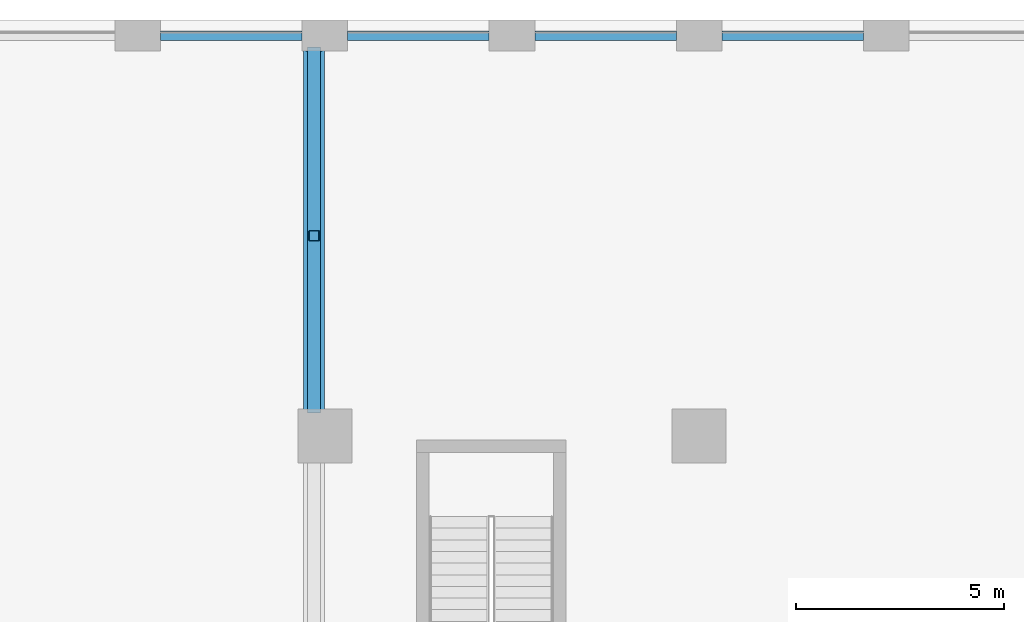
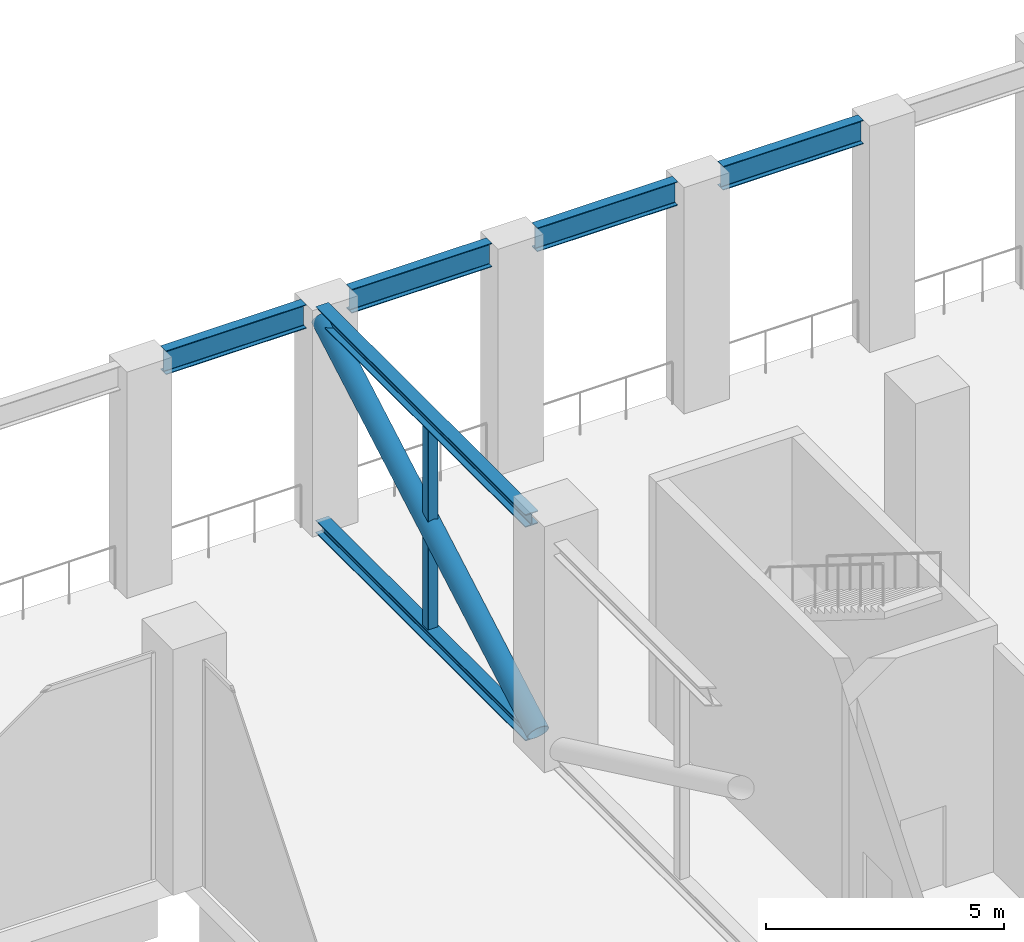
# One storey, part 8 of 14: 5 members, 4 beams.
"""IFC4 building model written with IfcOpenShell, lengths in metres."""

import ifcopenshell
import ifcopenshell.guid

model = None  # the IFC model being written
_history = None  # IfcOwnerHistory: only IFC2X3 demands one
_inside = {}  # id of a spatial element -> (the spatial element, [elements in it])
_under = {}  # id of a project, library or spatial element -> (it, [spatial elements below it])
_declared = {}  # id of a project -> (the project, [libraries it declares])
_typed = {}  # id of a type object -> (the type object, [elements of that type])
_made_of = {}  # id of a material, layer set ... -> (it, [elements and type objects made of it])


def new_model(schema):
    """Start an empty IFC model of exactly this schema.

    Asked for "IFC4X3", IfcOpenShell would pick the latest addendum, in which some entities
    have other attributes; the version numbers below select the first issue.
    IFC2X3 requires an IfcOwnerHistory on every rooted entity: one is made here for all.
    """
    global model, _history
    if schema == "IFC4X3":
        model = ifcopenshell.file(schema_version=(4, 3, 0, 0))
    else:
        model = ifcopenshell.file(schema=schema)
    _inside.clear()
    _under.clear()
    _declared.clear()
    _typed.clear()
    _made_of.clear()
    _history = None
    if model.schema == "IFC2X3":
        org = make("IfcOrganization", Name="unknown")
        user = make(
            "IfcPersonAndOrganization",
            ThePerson=make("IfcPerson", FamilyName="unknown"),
            TheOrganization=org,
        )
        app = make(
            "IfcApplication",
            ApplicationDeveloper=org,
            Version="unknown",
            ApplicationFullName="unknown",
            ApplicationIdentifier="unknown",
        )
        _history = make(
            "IfcOwnerHistory",
            OwningUser=user,
            OwningApplication=app,
            ChangeAction="ADDED",
            CreationDate=0,
        )
    return model


def make(cls, **values):
    """One entity of the class cls with the attributes given. An attribute that is None is left unset."""
    return model.create_entity(
        cls, **{name: value for name, value in values.items() if value is not None}
    )


def rooted(cls, **values):
    """An entity with a GlobalId (a new one), such as an element, a storey or a relation."""
    return make(cls, GlobalId=ifcopenshell.guid.new(), OwnerHistory=_history, **values)


def si_unit(unit_type, name, prefix=None):
    """IfcSIUnit, for example si_unit("LENGTHUNIT", "METRE", prefix="MILLI")."""
    return make("IfcSIUnit", UnitType=unit_type, Prefix=prefix, Name=name)


def assignment(units):
    """IfcUnitAssignment: the units of a project."""
    return None if units is None else make("IfcUnitAssignment", Units=units)


def point(xyz):
    """IfcCartesianPoint."""
    return None if xyz is None else make("IfcCartesianPoint", Coordinates=xyz)


def direction(xyz):
    """IfcDirection."""
    return None if xyz is None else make("IfcDirection", DirectionRatios=xyz)


def frame(location, z_axis=None, x_axis=None):
    """IfcAxis2Placement3D, a coordinate frame: its origin and axes. An axis left out is left unset."""
    return make(
        "IfcAxis2Placement3D",
        Location=point(location),
        Axis=direction(z_axis),
        RefDirection=direction(x_axis),
    )


def frame_2d(location, x_axis=None):
    """IfcAxis2Placement2D, a coordinate frame in the plane: its origin and x axis."""
    return make(
        "IfcAxis2Placement2D", Location=point(location), RefDirection=direction(x_axis)
    )


def origin():
    """The frame at (0, 0, 0) with its axes left unset."""
    return frame((0.0, 0.0, 0.0))


def origin_2d():
    """The frame at (0, 0) in the plane with its x axis left unset."""
    return frame_2d((0.0, 0.0))


def place(relative_to, where):
    """IfcLocalPlacement: puts the frame where relative to a parent placement (None: the world)."""
    return make(
        "IfcLocalPlacement", PlacementRelTo=relative_to, RelativePlacement=where
    )


def context(
    kind, dimensions, precision=None, world=None, true_north=None, identifier=None
):
    """IfcGeometricRepresentationContext, for example the 3D "Model" context."""
    return make(
        "IfcGeometricRepresentationContext",
        ContextIdentifier=identifier,
        ContextType=kind,
        CoordinateSpaceDimension=dimensions,
        Precision=precision,
        WorldCoordinateSystem=world,
        TrueNorth=true_north,
    )


def subcontext(parent, identifier, kind, view, scale=None):
    """IfcGeometricRepresentationSubContext, for example "Body" below "Model"."""
    return make(
        "IfcGeometricRepresentationSubContext",
        ContextIdentifier=identifier,
        ContextType=kind,
        ParentContext=parent,
        TargetScale=scale,
        TargetView=view,
    )


def project(units=None, contexts=None):
    """IfcProject with its units and contexts."""
    return rooted(
        "IfcProject",
        Name="project",
        RepresentationContexts=contexts,
        UnitsInContext=assignment(units),
    )


def spatial(cls, under=None, at=None, **own):
    """A site, building, storey or space (cls), placed at a placement, below another one or the project."""
    s = rooted(cls, ObjectPlacement=at, **own)
    if under is not None:
        _under.setdefault(under.id(), (under, []))[1].append(s)
    return s


def profile(cls, at=None, kind="AREA", **sizes):
    """A parametric profile (cls). Its sizes go by their IFC names, for example OverallWidth=200.0."""
    return make(cls, ProfileType=kind, Position=at, **sizes)


def hollow_rectangle(**sizes):
    """IfcRectangleHollowProfileDef."""
    return profile("IfcRectangleHollowProfileDef", **sizes)


def hollow_circle(**sizes):
    """IfcCircleHollowProfileDef."""
    return profile("IfcCircleHollowProfileDef", **sizes)


def i_section(**sizes):
    """IfcIShapeProfileDef."""
    return profile("IfcIShapeProfileDef", **sizes)


def extrude(swept, where, along, depth):
    """IfcExtrudedAreaSolid: the profile swept, set in the frame where, extruded along a direction by depth."""
    return make(
        "IfcExtrudedAreaSolid",
        SweptArea=swept,
        Position=where,
        ExtrudedDirection=direction(along),
        Depth=depth,
    )


def shape(context_of_items, identifier, shape_type, items):
    """IfcShapeRepresentation: the items that make up one representation, for example the "Body"."""
    return make(
        "IfcShapeRepresentation",
        ContextOfItems=context_of_items,
        RepresentationIdentifier=identifier,
        RepresentationType=shape_type,
        Items=items,
    )


def material(Name=None, Category=None):
    """IfcMaterial."""
    return make("IfcMaterial", Name=Name, Category=Category)


def material_profile(
    of_material, cross_section, Name=None, Category=None, Priority=None
):
    """IfcMaterialProfile: a cross section and its material."""
    return make(
        "IfcMaterialProfile",
        Name=Name,
        Material=of_material,
        Profile=cross_section,
        Priority=Priority,
        Category=Category,
    )


def profile_set(profiles, Name=None, composite=None):
    """IfcMaterialProfileSet."""
    return make(
        "IfcMaterialProfileSet",
        Name=Name,
        MaterialProfiles=profiles,
        CompositeProfile=composite,
    )


def made_of(thing, what):
    """Note that an element or type object is made of a material, layer set ...; save() writes the relation."""
    if what is not None:
        _made_of.setdefault(what.id(), (what, []))[1].append(thing)
    return thing


def type_object(cls, material=None, **own):
    """A type object (cls), such as IfcWallType, which elements share."""
    return made_of(rooted(cls, **own), material)


def element(
    cls,
    number,
    at=None,
    inside=None,
    cuts=None,
    type_object=None,
    material=None,
    context=None,
    identifier="Body",
    shape_type=None,
    held_by="IfcProductDefinitionShape",
    body=None,
    shapes=None,
    **own,
):
    """One element of the class cls, such as IfcWall. Its Tag is "e" and its number.

    at: its placement. inside: the storey or other place that contains it. cuts: it is an
    opening in that element (IfcRelVoidsElement). A single representation is given by context,
    identifier, shape_type and body (its items); several are given by shapes. held_by: the class
    of the entity that holds the representations. save() writes the other relations.
    """
    e = rooted(cls, Tag="e%d" % number, ObjectPlacement=at, **own)
    if body is not None:
        shapes = [shape(context, identifier, shape_type, body)]
    if shapes is not None:
        e.Representation = make(held_by, Representations=shapes)
    if inside is not None:
        _inside.setdefault(inside.id(), (inside, []))[1].append(e)
    if cuts is not None:
        rooted(
            "IfcRelVoidsElement", RelatingBuildingElement=cuts, RelatedOpeningElement=e
        )
    if type_object is not None:
        _typed.setdefault(type_object.id(), (type_object, []))[1].append(e)
    return made_of(e, material)


def aggregate(whole, parts):
    """IfcRelAggregates: a whole, such as a stair, and the parts it consists of."""
    return rooted("IfcRelAggregates", RelatingObject=whole, RelatedObjects=parts)


def save(model, path):
    """Write the relations noted so far, then the file.

    IfcRelAggregates (storeys below a building ...), IfcRelContainedInSpatialStructure (elements
    in a storey), IfcRelDefinesByType, IfcRelAssociatesMaterial and IfcRelDeclares: one each for
    every whole, place, type object, material and project.
    """
    for whole, parts in _under.values():
        aggregate(whole, parts)
    for where, things in _inside.values():
        rooted(
            "IfcRelContainedInSpatialStructure",
            RelatedElements=things,
            RelatingStructure=where,
        )
    for kind, things in _typed.values():
        rooted("IfcRelDefinesByType", RelatedObjects=things, RelatingType=kind)
    for what, things in _made_of.values():
        rooted("IfcRelAssociatesMaterial", RelatedObjects=things, RelatingMaterial=what)
    for by, libraries in _declared.values():
        rooted("IfcRelDeclares", RelatingContext=by, RelatedDefinitions=libraries)
    model.write(path)


model = new_model("IFC4")

# Units and contexts
model_context = context("Model", 3, precision=1e-05, world=origin(), true_north=direction((0.0, 1.0)))
body_context = subcontext(model_context, "Body", "Model", "MODEL_VIEW")
ifc_project = project(units=[si_unit("LENGTHUNIT", "METRE"), si_unit("AREAUNIT", "SQUARE_METRE"), si_unit("VOLUMEUNIT", "CUBIC_METRE"), si_unit("PLANEANGLEUNIT", "RADIAN"), si_unit("MASSUNIT", "GRAM", prefix="KILO")], contexts=[model_context])

# Site, building, storey
site_placement = place(None, origin())
site = spatial("IfcSite", under=ifc_project, at=site_placement, CompositionType="ELEMENT")
building_placement = place(site_placement, origin())
building = spatial("IfcBuilding", under=site, at=building_placement, Name="Brigalow Station Residences", CompositionType="ELEMENT")
storey_placement = place(building_placement, frame((0.0, 0.0, 130.800048828125)))
storey = spatial("IfcBuildingStorey", under=building, at=storey_placement, Name="L38", CompositionType="ELEMENT", Elevation=130.800048828125)

# Beams
ifc_material_1 = material(Name="Steel Grade 300 to AS/NZS 3679.1", Category="steel")
ifc_material_profile_1 = material_profile(ifc_material_1, i_section(OverallWidth=0.22900390625, OverallDepth=0.611572265625, WebThickness=0.011962890625, FlangeThickness=0.01953125, FilletRadius=0.013916015625, at=origin_2d()), Name="610UB125")
ifc_profile_set_1 = profile_set([ifc_material_profile_1], Name="Steel Grade 300 to AS/NZS 3679.1")
beam_type = type_object("IfcBeamType", Name="BELT GIRDER 610UB125", PredefinedType="USERDEFINED", material=ifc_profile_set_1)
for number, where, z_axis, x_axis, name in (
    (1, (66.949951171875, 45.125, 5.494140625), (-1.0, 0.0, 0.0), (0.0, -1.0, 0.0), "BELT GIRDER 21 L38"),
    (2, (62.449951171875, 45.125, 5.494140625), (-1.0, 0.0, 0.0), (0.0, -1.0, 0.0), "BELT GIRDER 22 L38"),
    (3, (57.949951171875, 45.125, 5.494140625), (-1.0, 0.0, 0.0), (0.0, -1.0, 0.0), "BELT GIRDER 23 L38"),
    (4, (53.449951171875, 45.125, 5.494140625), (-1.0, 0.0, 0.0), (0.0, -1.0, 0.0), "BELT GIRDER 24 L38"),
):
    element("IfcBeam", number, at=place(storey_placement, frame(where, z_axis=z_axis, x_axis=x_axis)), inside=storey, type_object=beam_type, Name=name, ObjectType="BELT GIRDER", PredefinedType="USERDEFINED", context=body_context, shape_type="SweptSolid", body=[
        extrude(i_section(OverallWidth=0.22900390625, OverallDepth=0.611572265625, WebThickness=0.011962890625, FlangeThickness=0.01953125, FilletRadius=0.013916015625, at=origin_2d()), origin(), (0.0, 0.0, 1.0), 3.39990234375),
    ])

# Members
ifc_material_2 = material(Name="Steel Grade C350L0 to AS/NZS 1163", Category="steel")
ifc_material_profile_2 = material_profile(ifc_material_2, hollow_circle(Radius=0.25390625, WallThickness=0.0126953125, at=origin_2d()), Name="508.0x12.7CHS")
ifc_profile_set_2 = profile_set([ifc_material_profile_2], Name="Steel Grade C350L0 to AS/NZS 1163")
member_type_1 = type_object("IfcMemberType", Name="OUTRIGGER BRACE 508.0x12.7CHS", PredefinedType="BRACE", material=ifc_profile_set_2)
member_placement = place(storey_placement, frame((53.739990234375, 35.78759765625, 0.3271484375), z_axis=(0.0, 0.869309086807, 0.494268865694), x_axis=(-1.0, 0.0, 0.0)))
element("IfcMember", 5, at=member_placement, inside=storey, type_object=member_type_1, Name="OUTRIGGER BRACE E3 L38", PredefinedType="BRACE", context=body_context, shape_type="SweptSolid", body=[
    extrude(hollow_circle(Radius=0.25390625, WallThickness=0.0126953125, at=origin_2d()), origin(), (0.0, 0.0, 1.0), 10.410400390625),
])
ifc_material_3 = material(Name="Steel Grade 300 to AS/NZS 3679.1", Category="steel")
ifc_material_profile_3 = material_profile(ifc_material_3, i_section(OverallWidth=0.31103515625, OverallDepth=0.3271484375, WebThickness=0.015625, FlangeThickness=0.02490234375, FilletRadius=0.0166015625, at=origin_2d()), Name="310UC158")
ifc_profile_set_3 = profile_set([ifc_material_profile_3], Name="Steel Grade 300 to AS/NZS 3679.1")
member_type_2 = type_object("IfcMemberType", Name="OUTRIGGER CHORD 310UC158", PredefinedType="CHORD", material=ifc_profile_set_3)
for number, where, z_axis, x_axis, name in (
    (6, (53.739990234375, 36.050048828125, 0.16357421875), (0.0, 1.0, 0.0), (-1.0, 0.0, 0.0), "OUTRIGGER CHORD E LOWER 3 L38"),
    (7, (53.739990234375, 36.050048828125, 5.63623046875), (0.0, 1.0, 0.0), (-1.0, 0.0, 0.0), "OUTRIGGER CHORD E UPPER 3 L38"),
):
    element("IfcMember", number, at=place(storey_placement, frame(where, z_axis=z_axis, x_axis=x_axis)), inside=storey, type_object=member_type_2, Name=name, PredefinedType="CHORD", context=body_context, shape_type="SweptSolid", body=[
        extrude(i_section(OverallWidth=0.31103515625, OverallDepth=0.3271484375, WebThickness=0.015625, FlangeThickness=0.02490234375, FilletRadius=0.0166015625, at=origin_2d()), origin(), (0.0, 0.0, 1.0), 8.800048828125),
    ])
ifc_material_4 = material(Name="Steel Grade C450L0 to AS/NZS 1163", Category="steel")
ifc_material_profile_4 = material_profile(ifc_material_4, hollow_rectangle(XDim=0.25, YDim=0.25, WallThickness=0.009033203125, InnerFilletRadius=0.013427734375, OuterFilletRadius=0.0224609375, at=origin_2d()), Name="250x250x9.0SHS")
ifc_profile_set_4 = profile_set([ifc_material_profile_4], Name="Steel Grade C450L0 to AS/NZS 1163")
member_type_3 = type_object("IfcMemberType", Name="OUTRIGGER POST 250x250x9.0SHS", PredefinedType="POST", material=ifc_profile_set_4)
for number, where, z_axis, x_axis, name in (
    (8, (53.739990234375, 40.3125, 0.3271484375), (0.0, 0.0, 1.0), (1.0, 0.0, 0.0), "OUTRIGGER POST E3L L38"),
    (9, (53.739990234375, 40.3125, 2.89990234375), (0.0, 0.0, 1.0), (1.0, 0.0, 0.0), "OUTRIGGER POST E3U L38"),
):
    element("IfcMember", number, at=place(storey_placement, frame(where, z_axis=z_axis, x_axis=x_axis)), inside=storey, type_object=member_type_3, Name=name, PredefinedType="POST", context=body_context, shape_type="SweptSolid", body=[
        extrude(hollow_rectangle(XDim=0.25, YDim=0.25, WallThickness=0.009033203125, InnerFilletRadius=0.013427734375, OuterFilletRadius=0.0224609375, at=origin_2d()), origin(), (0.0, 0.0, 1.0), 2.57275390625),
    ])

save(model, "model.ifc")
